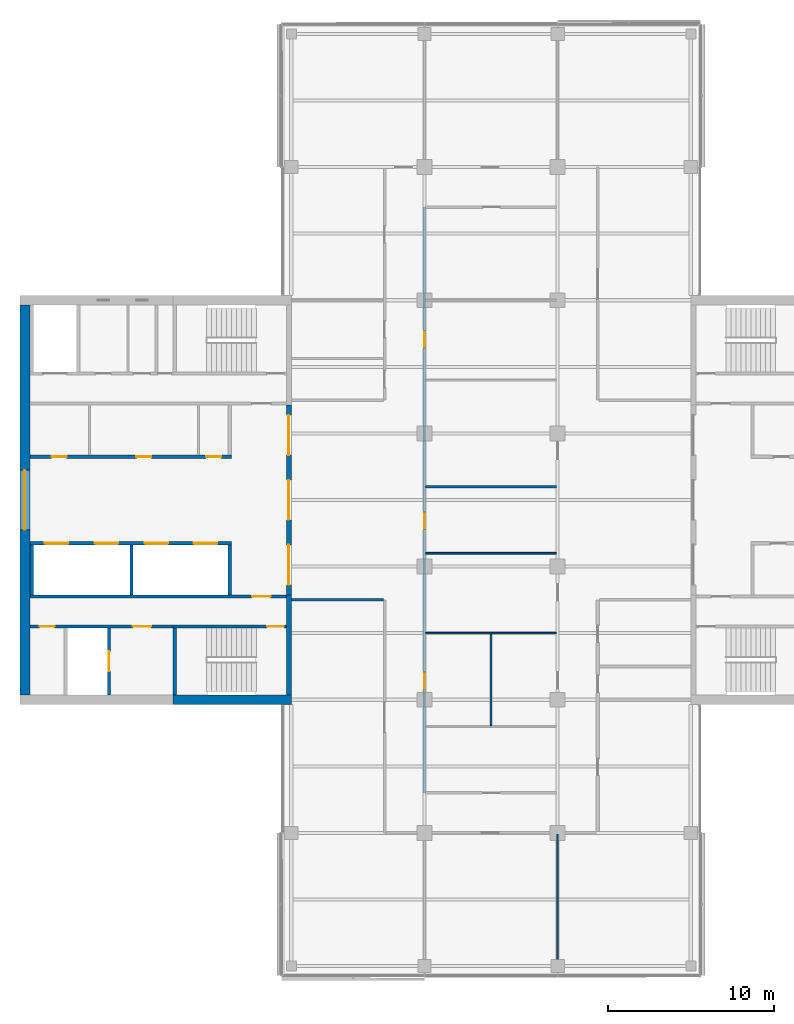
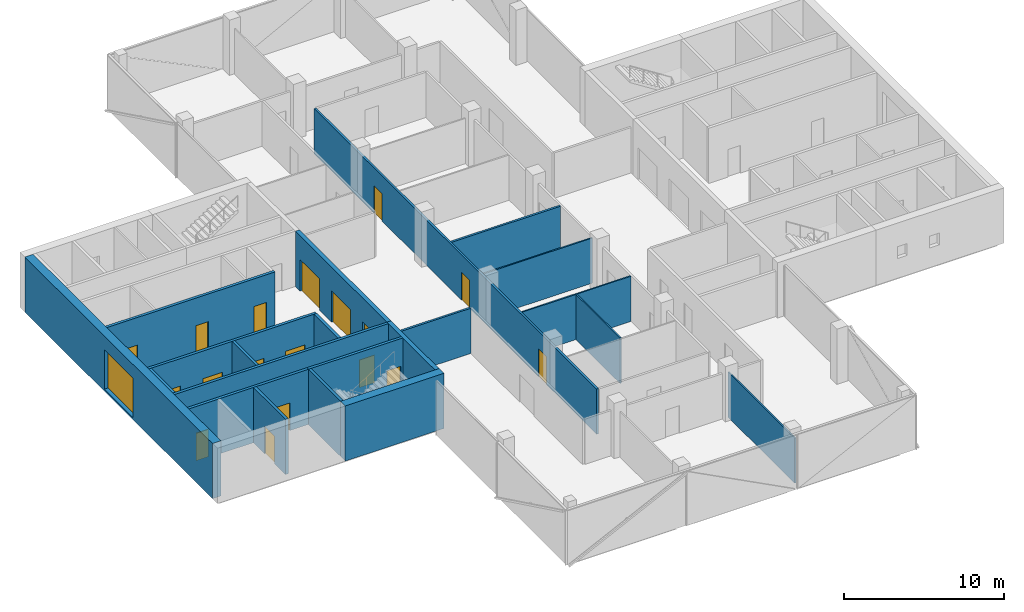
# One storey, part 9 of 15: 21 walls, 18 doors, 1 window, 19 openings.
"""IFC4 building model written with IfcOpenShell, lengths in metres."""

from ifc_helpers import new_model, si_unit, direction, frame, frame_2d, origin, place, context, subcontext, project, spatial, rectangle, extrude, material, layer, layer_set, constituent, constituent_set, type_object, element, fill, save


model = new_model("IFC4")

# Units and contexts
model_context = context("Model", 3, precision=1e-05, world=origin(), true_north=direction((0.0, 1.0)))
body_context = subcontext(model_context, "Body", "Model", "MODEL_VIEW")
ifc_project = project(units=[si_unit("LENGTHUNIT", "METRE"), si_unit("AREAUNIT", "SQUARE_METRE"), si_unit("VOLUMEUNIT", "CUBIC_METRE"), si_unit("PLANEANGLEUNIT", "RADIAN"), si_unit("MASSUNIT", "GRAM", prefix="KILO")], contexts=[model_context])

# Site, building, storey
site_placement = place(None, origin())
site = spatial("IfcSite", under=ifc_project, at=site_placement, CompositionType="ELEMENT")
building_placement = place(site_placement, origin())
building = spatial("IfcBuilding", under=site, at=building_placement, Name="Crosswind Convention Tower", CompositionType="ELEMENT")
storey_placement = place(building_placement, frame((0.0, 0.0, 187.300048828125)))
storey = spatial("IfcBuildingStorey", under=building, at=storey_placement, Name="L39", CompositionType="ELEMENT", Elevation=187.300048828125)

# Wall, openings, doors
ifc_material_1 = material(Name="Concrete C50/60", Category="concrete")
ifc_layer_1 = layer(ifc_material_1, 0.300048828125)
ifc_layer_set_1 = layer_set([ifc_layer_1], Name="Concrete C50/60")
wall_type_1 = type_object("IfcWallType", Name="Concrete inner core wall 300", PredefinedType="SHEAR", material=ifc_layer_set_1)
wall_1_placement = place(storey_placement, frame((112.85009765625, 105.699951171875, 0.0), z_axis=(0.0, 0.0, 1.0), x_axis=(0.0, -1.0, 0.0)))
wall_1 = element("IfcWall", 1, at=wall_1_placement, inside=storey, type_object=wall_type_1, Name="Wall SCR W L39", PredefinedType="SHEAR", context=body_context, shape_type="SweptSolid", body=[
    extrude(rectangle(XDim=11.39990234375, YDim=0.300048828125, at=frame_2d((5.699951171875, 0.0))), origin(), (0.0, 0.0, 1.0), 4.199951171875),
])
opening_1_placement = place(wall_1_placement, frame((0.60009765625, 0.0, 0.0)))
opening_1 = element("IfcOpeningElement", 2, at=opening_1_placement, cuts=wall_1, Name="Opening D100", PredefinedType="OPENING", context=body_context, shape_type="SweptSolid", body=[
    extrude(rectangle(XDim=2.39990234375, YDim=2.39990234375, at=frame_2d((1.199951171875, 1.199951171875))), frame((0.0, 0.159912109375, 0.0), z_axis=(0.0, -1.0, 0.0), x_axis=(1.0, 0.0, 0.0)), (0.0, 0.0, 1.0), 0.320068359375),
])
opening_2_placement = place(wall_1_placement, frame((4.5, 0.0, 0.0)))
opening_2 = element("IfcOpeningElement", 3, at=opening_2_placement, cuts=wall_1, Name="Opening D100", PredefinedType="OPENING", context=body_context, shape_type="SweptSolid", body=[
    extrude(rectangle(XDim=2.39990234375, YDim=2.39990234375, at=frame_2d((1.199951171875, 1.199951171875))), frame((0.0, 0.159912109375, 0.0), z_axis=(0.0, -1.0, 0.0), x_axis=(1.0, 0.0, 0.0)), (0.0, 0.0, 1.0), 0.320068359375),
])
opening_3_placement = place(wall_1_placement, frame((8.39990234375, 0.0, 0.0)))
opening_3 = element("IfcOpeningElement", 4, at=opening_3_placement, cuts=wall_1, Name="Opening D100", PredefinedType="OPENING", context=body_context, shape_type="SweptSolid", body=[
    extrude(rectangle(XDim=2.39990234375, YDim=2.39990234375, at=frame_2d((1.199951171875, 1.199951171875))), frame((0.0, 0.159912109375, 0.0), z_axis=(0.0, -1.0, 0.0), x_axis=(1.0, 0.0, 0.0)), (0.0, 0.0, 1.0), 0.320068359375),
])
ifc_material_2 = material(Name="Steel fire door with glazed vision panels", Category="steel")
door_type_1 = type_object("IfcDoorType", Name="Fire-rated double door 2400x2400", OperationType="DOUBLE_DOOR_SINGLE_SWING", PredefinedType="DOOR", material=ifc_material_2)
door_1_placement = place(opening_1_placement, origin())
door_1 = element("IfcDoor", 5, at=door_1_placement, inside=storey, type_object=door_type_1, Name="Lobby door 1 L39", ObjectType="D100", OperationType="DOUBLE_DOOR_SINGLE_SWING", OverallHeight=2.39990234375, OverallWidth=2.39990234375, PredefinedType="DOOR", context=body_context, shape_type="SweptSolid", body=[
    extrude(rectangle(XDim=2.39990234375, YDim=2.39990234375, at=frame_2d((1.199951171875, 1.199951171875))), frame((0.0, 0.02490234375, 0.0), z_axis=(0.0, -1.0, 0.0), x_axis=(1.0, 0.0, 0.0)), (0.0, 0.0, 1.0), 0.050048828125),
])
fill(opening_1, door_1)
door_2_placement = place(opening_2_placement, origin())
door_2 = element("IfcDoor", 6, at=door_2_placement, inside=storey, type_object=door_type_1, Name="Lobby door 2 L39", ObjectType="D100", OperationType="DOUBLE_DOOR_SINGLE_SWING", OverallHeight=2.39990234375, OverallWidth=2.39990234375, PredefinedType="DOOR", context=body_context, shape_type="SweptSolid", body=[
    extrude(rectangle(XDim=2.39990234375, YDim=2.39990234375, at=frame_2d((1.199951171875, 1.199951171875))), frame((0.0, 0.02490234375, 0.0), z_axis=(0.0, -1.0, 0.0), x_axis=(1.0, 0.0, 0.0)), (0.0, 0.0, 1.0), 0.050048828125),
])
fill(opening_2, door_2)
door_3_placement = place(opening_3_placement, origin())
door_3 = element("IfcDoor", 7, at=door_3_placement, inside=storey, type_object=door_type_1, Name="Lobby door 3 L39", ObjectType="D100", OperationType="DOUBLE_DOOR_SINGLE_SWING", OverallHeight=2.39990234375, OverallWidth=2.39990234375, PredefinedType="DOOR", context=body_context, shape_type="SweptSolid", body=[
    extrude(rectangle(XDim=2.39990234375, YDim=2.39990234375, at=frame_2d((1.199951171875, 1.199951171875))), frame((0.0, 0.02490234375, 0.0), z_axis=(0.0, -1.0, 0.0), x_axis=(1.0, 0.0, 0.0)), (0.0, 0.0, 1.0), 0.050048828125),
])
fill(opening_3, door_3)

# Walls
wall_2_placement = place(storey_placement, frame((112.85009765625, 94.300048828125, 0.0), z_axis=(0.0, 0.0, 1.0), x_axis=(0.0, -1.0, 0.0)))
element("IfcWall", 8, at=wall_2_placement, inside=storey, type_object=wall_type_1, Name="Wall EP W L39", PredefinedType="SHEAR", context=body_context, shape_type="SweptSolid", body=[
    extrude(rectangle(XDim=6.0, YDim=0.300048828125, at=frame_2d((3.0, 0.0))), origin(), (0.0, 0.0, 1.0), 4.199951171875),
])
ifc_layer_2 = layer(ifc_material_1, 0.199951171875)
ifc_layer_set_2 = layer_set([ifc_layer_2], Name="Concrete C50/60")
wall_type_2 = type_object("IfcWallType", Name="Concrete shaft and stair wall 200", PredefinedType="SHEAR", material=ifc_layer_set_2)
for number, where, z_axis, x_axis, name in (
    (9, (109.300048828125, 97.300048828125, 0.0), (0.0, 0.0, 1.0), (0.0, -1.0, 0.0), "Wall RPEND W L39"),
    (10, (103.39990234375, 97.300048828125, 0.0), (0.0, 0.0, 1.0), (0.0, -1.0, 0.0), "Wall RPSEP W L39"),
    (11, (97.39990234375, 97.300048828125, 0.0), (0.0, 0.0, 1.0), (0.0, -1.0, 0.0), "Wall RPEAST W L39"),
):
    element("IfcWall", number, at=place(storey_placement, frame(where, z_axis=z_axis, x_axis=x_axis)), inside=storey, type_object=wall_type_2, Name=name, PredefinedType="SHEAR", context=body_context, shape_type="SweptSolid", body=[
        extrude(rectangle(XDim=3.0, YDim=0.199951171875, at=frame_2d((1.5, 0.0))), origin(), (0.0, 0.0, 1.0), 4.199951171875),
    ])

# Wall, openings, doors
wall_3_placement = place(storey_placement, frame((109.39990234375, 97.39990234375, 0.0), z_axis=(0.0, 0.0, 1.0), x_axis=(-1.0, 0.0, 0.0)))
wall_3 = element("IfcWall", 12, at=wall_3_placement, inside=storey, type_object=wall_type_2, Name="Wall RPFRONT W L39", PredefinedType="SHEAR", context=body_context, shape_type="SweptSolid", body=[
    extrude(rectangle(XDim=12.099853515625, YDim=0.199951171875, at=frame_2d((6.0498046875, 0.0))), origin(), (0.0, 0.0, 1.0), 4.199951171875),
])
opening_4_placement = place(wall_3_placement, frame((0.85009765625, 0.0, 0.0)))
opening_4 = element("IfcOpeningElement", 13, at=opening_4_placement, cuts=wall_3, Name="Opening LD2", PredefinedType="OPENING", context=body_context, shape_type="SweptSolid", body=[
    extrude(rectangle(XDim=1.39990234375, YDim=2.10009765625, at=frame_2d((0.699951171875, 1.050048828125))), frame((0.0, 0.10986328125, 0.0), z_axis=(0.0, -1.0, 0.0), x_axis=(1.0, 0.0, 0.0)), (0.0, 0.0, 1.0), 0.219970703125),
])
opening_5_placement = place(wall_3_placement, frame((3.800048828125, 0.0, 0.0)))
opening_5 = element("IfcOpeningElement", 14, at=opening_5_placement, cuts=wall_3, Name="Opening LD2", PredefinedType="OPENING", context=body_context, shape_type="SweptSolid", body=[
    extrude(rectangle(XDim=1.39990234375, YDim=2.10009765625, at=frame_2d((0.699951171875, 1.050048828125))), frame((0.0, 0.10986328125, 0.0), z_axis=(0.0, -1.0, 0.0), x_axis=(1.0, 0.0, 0.0)), (0.0, 0.0, 1.0), 0.219970703125),
])
opening_6_placement = place(wall_3_placement, frame((6.800048828125, 0.0, 0.0)))
opening_6 = element("IfcOpeningElement", 15, at=opening_6_placement, cuts=wall_3, Name="Opening LD2", PredefinedType="OPENING", context=body_context, shape_type="SweptSolid", body=[
    extrude(rectangle(XDim=1.39990234375, YDim=2.10009765625, at=frame_2d((0.699951171875, 1.050048828125))), frame((0.0, 0.10986328125, 0.0), z_axis=(0.0, -1.0, 0.0), x_axis=(1.0, 0.0, 0.0)), (0.0, 0.0, 1.0), 0.219970703125),
])
opening_7_placement = place(wall_3_placement, frame((9.800048828125, 0.0, 0.0)))
opening_7 = element("IfcOpeningElement", 16, at=opening_7_placement, cuts=wall_3, Name="Opening LD2", PredefinedType="OPENING", context=body_context, shape_type="SweptSolid", body=[
    extrude(rectangle(XDim=1.39990234375, YDim=2.10009765625, at=frame_2d((0.699951171875, 1.050048828125))), frame((0.0, 0.10986328125, 0.0), z_axis=(0.0, -1.0, 0.0), x_axis=(1.0, 0.0, 0.0)), (0.0, 0.0, 1.0), 0.219970703125),
])
ifc_material_3 = material(Name="Stainless steel", Category="steel")
door_type_2 = type_object("IfcDoorType", Name="Lift landing door 1400x2100", OperationType="DOUBLE_DOOR_SLIDING", PredefinedType="DOOR", material=ifc_material_3)
door_4_placement = place(opening_4_placement, origin())
door_4 = element("IfcDoor", 17, at=door_4_placement, inside=storey, type_object=door_type_2, Name="Landing door HR1 L39", ObjectType="LD2", OperationType="DOUBLE_DOOR_SLIDING", OverallHeight=2.10009765625, OverallWidth=1.39990234375, PredefinedType="DOOR", context=body_context, shape_type="SweptSolid", body=[
    extrude(rectangle(XDim=1.39990234375, YDim=2.10009765625, at=frame_2d((0.699951171875, 1.050048828125))), frame((0.0, 0.02490234375, 0.0), z_axis=(0.0, -1.0, 0.0), x_axis=(1.0, 0.0, 0.0)), (0.0, 0.0, 1.0), 0.050048828125),
])
fill(opening_4, door_4)
door_5_placement = place(opening_5_placement, origin())
door_5 = element("IfcDoor", 18, at=door_5_placement, inside=storey, type_object=door_type_2, Name="Landing door HR2 L39", ObjectType="LD2", OperationType="DOUBLE_DOOR_SLIDING", OverallHeight=2.10009765625, OverallWidth=1.39990234375, PredefinedType="DOOR", context=body_context, shape_type="SweptSolid", body=[
    extrude(rectangle(XDim=1.39990234375, YDim=2.10009765625, at=frame_2d((0.699951171875, 1.050048828125))), frame((0.0, 0.02490234375, 0.0), z_axis=(0.0, -1.0, 0.0), x_axis=(1.0, 0.0, 0.0)), (0.0, 0.0, 1.0), 0.050048828125),
])
fill(opening_5, door_5)
door_6_placement = place(opening_6_placement, origin())
door_6 = element("IfcDoor", 19, at=door_6_placement, inside=storey, type_object=door_type_2, Name="Landing door HR3 L39", ObjectType="LD2", OperationType="DOUBLE_DOOR_SLIDING", OverallHeight=2.10009765625, OverallWidth=1.39990234375, PredefinedType="DOOR", context=body_context, shape_type="SweptSolid", body=[
    extrude(rectangle(XDim=1.39990234375, YDim=2.10009765625, at=frame_2d((0.699951171875, 1.050048828125))), frame((0.0, 0.02490234375, 0.0), z_axis=(0.0, -1.0, 0.0), x_axis=(1.0, 0.0, 0.0)), (0.0, 0.0, 1.0), 0.050048828125),
])
fill(opening_6, door_6)
door_7_placement = place(opening_7_placement, origin())
door_7 = element("IfcDoor", 20, at=door_7_placement, inside=storey, type_object=door_type_2, Name="Landing door HR4 L39", ObjectType="LD2", OperationType="DOUBLE_DOOR_SLIDING", OverallHeight=2.10009765625, OverallWidth=1.39990234375, PredefinedType="DOOR", context=body_context, shape_type="SweptSolid", body=[
    extrude(rectangle(XDim=1.39990234375, YDim=2.10009765625, at=frame_2d((0.699951171875, 1.050048828125))), frame((0.0, 0.02490234375, 0.0), z_axis=(0.0, -1.0, 0.0), x_axis=(1.0, 0.0, 0.0)), (0.0, 0.0, 1.0), 0.050048828125),
])
fill(opening_7, door_7)

wall_4_placement = place(storey_placement, frame((109.39990234375, 102.60009765625, 0.0), z_axis=(0.0, 0.0, 1.0), x_axis=(-1.0, 0.0, 0.0)))
wall_4 = element("IfcWall", 21, at=wall_4_placement, inside=storey, type_object=wall_type_2, Name="Wall RMFRONT W L39", PredefinedType="SHEAR", context=body_context, shape_type="SweptSolid", body=[
    extrude(rectangle(XDim=12.099853515625, YDim=0.199951171875, at=frame_2d((6.0498046875, 0.0))), origin(), (0.0, 0.0, 1.0), 4.199951171875),
])
opening_8_placement = place(wall_4_placement, frame((0.611328125, 0.0, 0.0)))
opening_8 = element("IfcOpeningElement", 22, at=opening_8_placement, cuts=wall_4, Name="Opening D106", PredefinedType="OPENING", context=body_context, shape_type="SweptSolid", body=[
    extrude(rectangle(XDim=0.89990234375, YDim=2.10009765625, at=frame_2d((0.449951171875, 1.050048828125))), frame((0.0, 0.10986328125, 0.0), z_axis=(0.0, -1.0, 0.0), x_axis=(1.0, 0.0, 0.0)), (0.0, 0.0, 1.0), 0.219970703125),
])
opening_9_placement = place(wall_4_placement, frame((4.8076171875, 0.0, 0.0)))
opening_9 = element("IfcOpeningElement", 23, at=opening_9_placement, cuts=wall_4, Name="Opening D106", PredefinedType="OPENING", context=body_context, shape_type="SweptSolid", body=[
    extrude(rectangle(XDim=0.89990234375, YDim=2.10009765625, at=frame_2d((0.449951171875, 1.050048828125))), frame((0.0, 0.10986328125, 0.0), z_axis=(0.0, -1.0, 0.0), x_axis=(1.0, 0.0, 0.0)), (0.0, 0.0, 1.0), 0.219970703125),
])
opening_10_placement = place(wall_4_placement, frame((9.896240234375, 0.0, 0.0)))
opening_10 = element("IfcOpeningElement", 24, at=opening_10_placement, cuts=wall_4, Name="Opening D106", PredefinedType="OPENING", context=body_context, shape_type="SweptSolid", body=[
    extrude(rectangle(XDim=0.89990234375, YDim=2.10009765625, at=frame_2d((0.449951171875, 1.050048828125))), frame((0.0, 0.10986328125, 0.0), z_axis=(0.0, -1.0, 0.0), x_axis=(1.0, 0.0, 0.0)), (0.0, 0.0, 1.0), 0.219970703125),
])
ifc_material_4 = material(Name="Timber door", Category="wood")
door_type_3 = type_object("IfcDoorType", Name="Single leaf door 900x2100", OperationType="NOTDEFINED", PredefinedType="DOOR", material=ifc_material_4)
door_8_placement = place(opening_8_placement, frame((0.89990234375, 0.0, 0.0), z_axis=(0.0, 0.0, 1.0), x_axis=(-1.0, 0.0, 0.0)))
door_8 = element("IfcDoor", 25, at=door_8_placement, inside=storey, type_object=door_type_3, Name="Door to pantry L39", ObjectType="D106", OperationType="SINGLE_SWING_LEFT", OverallHeight=2.10009765625, OverallWidth=0.89990234375, PredefinedType="DOOR", context=body_context, shape_type="SweptSolid", body=[
    extrude(rectangle(XDim=0.89990234375, YDim=2.10009765625, at=frame_2d((0.449951171875, 1.050048828125))), frame((0.0, 0.02490234375, 0.0), z_axis=(0.0, -1.0, 0.0), x_axis=(1.0, 0.0, 0.0)), (0.0, 0.0, 1.0), 0.050048828125),
])
fill(opening_8, door_8)
door_9_placement = place(opening_9_placement, frame((0.89990234375, 0.0, 0.0), z_axis=(0.0, 0.0, 1.0), x_axis=(-1.0, 0.0, 0.0)))
door_9 = element("IfcDoor", 26, at=door_9_placement, inside=storey, type_object=door_type_3, Name="Door to telecoms room L39", ObjectType="D106", OperationType="SINGLE_SWING_LEFT", OverallHeight=2.10009765625, OverallWidth=0.89990234375, PredefinedType="DOOR", context=body_context, shape_type="SweptSolid", body=[
    extrude(rectangle(XDim=0.89990234375, YDim=2.10009765625, at=frame_2d((0.449951171875, 1.050048828125))), frame((0.0, 0.02490234375, 0.0), z_axis=(0.0, -1.0, 0.0), x_axis=(1.0, 0.0, 0.0)), (0.0, 0.0, 1.0), 0.050048828125),
])
fill(opening_9, door_9)
door_10_placement = place(opening_10_placement, frame((0.89990234375, 0.0, 0.0), z_axis=(0.0, 0.0, 1.0), x_axis=(-1.0, 0.0, 0.0)))
door_10 = element("IfcDoor", 27, at=door_10_placement, inside=storey, type_object=door_type_3, Name="Door to storeroom L39", ObjectType="D106", OperationType="SINGLE_SWING_LEFT", OverallHeight=2.10009765625, OverallWidth=0.89990234375, PredefinedType="DOOR", context=body_context, shape_type="SweptSolid", body=[
    extrude(rectangle(XDim=0.89990234375, YDim=2.10009765625, at=frame_2d((0.449951171875, 1.050048828125))), frame((0.0, 0.02490234375, 0.0), z_axis=(0.0, -1.0, 0.0), x_axis=(1.0, 0.0, 0.0)), (0.0, 0.0, 1.0), 0.050048828125),
])
fill(opening_10, door_10)

# Wall, opening, door
wall_5_placement = place(storey_placement, frame((112.699951171875, 94.199951171875, 0.0), z_axis=(0.0, 0.0, 1.0), x_axis=(-1.0, 0.0, 0.0)))
wall_5 = element("IfcWall", 28, at=wall_5_placement, inside=storey, type_object=wall_type_2, Name="Wall HP W L39", PredefinedType="SHEAR", context=body_context, shape_type="SweptSolid", body=[
    extrude(rectangle(XDim=15.39990234375, YDim=0.199951171875, at=frame_2d((7.699951171875, 0.0))), origin(), (0.0, 0.0, 1.0), 4.199951171875),
])
opening_11_placement = place(wall_5_placement, frame((0.949951171875, 0.0, 0.0)))
opening_11 = element("IfcOpeningElement", 29, at=opening_11_placement, cuts=wall_5, Name="Opening D104", PredefinedType="OPENING", context=body_context, shape_type="SweptSolid", body=[
    extrude(rectangle(XDim=1.10009765625, YDim=2.10009765625, at=frame_2d((0.550048828125, 1.050048828125))), frame((0.0, 0.10986328125, 0.0), z_axis=(0.0, -1.0, 0.0), x_axis=(1.0, 0.0, 0.0)), (0.0, 0.0, 1.0), 0.219970703125),
])
ifc_material_5 = material(Name="Steel fire door", Category="steel")
door_type_4 = type_object("IfcDoorType", Name="Fire-rated single door 1100x2100", OperationType="NOTDEFINED", PredefinedType="DOOR", material=ifc_material_5)
door_11_placement = place(opening_11_placement, origin())
door_11 = element("IfcDoor", 30, at=door_11_placement, inside=storey, type_object=door_type_4, Name="Corridor door L39", ObjectType="D104", OperationType="SINGLE_SWING_LEFT", OverallHeight=2.10009765625, OverallWidth=1.10009765625, PredefinedType="DOOR", context=body_context, shape_type="SweptSolid", body=[
    extrude(rectangle(XDim=1.10009765625, YDim=2.10009765625, at=frame_2d((0.550048828125, 1.050048828125))), frame((0.0, 0.02490234375, 0.0), z_axis=(0.0, -1.0, 0.0), x_axis=(1.0, 0.0, 0.0)), (0.0, 0.0, 1.0), 0.050048828125),
])
fill(opening_11, door_11)

# Wall
wall_6_placement = place(storey_placement, frame((106.0, 92.300048828125, 0.0), z_axis=(0.0, 0.0, 1.0), x_axis=(0.0, -1.0, 0.0)))
element("IfcWall", 31, at=wall_6_placement, inside=storey, type_object=wall_type_2, Name="Wall PSE W L39", PredefinedType="SHEAR", context=body_context, shape_type="SweptSolid", body=[
    extrude(rectangle(XDim=4.0, YDim=0.199951171875, at=frame_2d((2.0, 0.0))), origin(), (0.0, 0.0, 1.0), 4.199951171875),
])

# Wall, opening, door
wall_7_placement = place(storey_placement, frame((102.050048828125, 92.300048828125, 0.0), z_axis=(0.0, 0.0, 1.0), x_axis=(0.0, -1.0, 0.0)))
wall_7 = element("IfcWall", 32, at=wall_7_placement, inside=storey, type_object=wall_type_2, Name="Wall PFLW W L39", PredefinedType="SHEAR", context=body_context, shape_type="SweptSolid", body=[
    extrude(rectangle(XDim=4.0, YDim=0.199951171875, at=frame_2d((2.0, 0.0))), origin(), (0.0, 0.0, 1.0), 4.199951171875),
])
opening_12_placement = place(wall_7_placement, frame((1.39990234375, 0.0, 0.0)))
opening_12 = element("IfcOpeningElement", 33, at=opening_12_placement, cuts=wall_7, Name="Opening LD1", PredefinedType="OPENING", context=body_context, shape_type="SweptSolid", body=[
    extrude(rectangle(XDim=1.199951171875, YDim=2.10009765625, at=frame_2d((0.60009765625, 1.050048828125))), frame((0.0, 0.10986328125, 0.0), z_axis=(0.0, -1.0, 0.0), x_axis=(1.0, 0.0, 0.0)), (0.0, 0.0, 1.0), 0.219970703125),
])
door_type_5 = type_object("IfcDoorType", Name="Lift landing door 1200x2100", OperationType="DOUBLE_DOOR_SLIDING", PredefinedType="DOOR", material=ifc_material_3)
door_12_placement = place(opening_12_placement, origin())
door_12 = element("IfcDoor", 34, at=door_12_placement, inside=storey, type_object=door_type_5, Name="Landing door FF2 L39", ObjectType="LD1", OperationType="DOUBLE_DOOR_SLIDING", OverallHeight=2.10009765625, OverallWidth=1.199951171875, PredefinedType="DOOR", context=body_context, shape_type="SweptSolid", body=[
    extrude(rectangle(XDim=1.199951171875, YDim=2.10009765625, at=frame_2d((0.60009765625, 1.050048828125))), frame((0.0, 0.02490234375, 0.0), z_axis=(0.0, -1.0, 0.0), x_axis=(1.0, 0.0, 0.0)), (0.0, 0.0, 1.0), 0.050048828125),
])
fill(opening_12, door_12)

wall_8_placement = place(storey_placement, frame((112.699951171875, 92.39990234375, 0.0), z_axis=(0.0, 0.0, 1.0), x_axis=(-1.0, 0.0, 0.0)))
wall_8 = element("IfcWall", 35, at=wall_8_placement, inside=storey, type_object=wall_type_2, Name="Wall PCW W L39", PredefinedType="SHEAR", context=body_context, shape_type="SweptSolid", body=[
    extrude(rectangle(XDim=6.800048828125, YDim=0.199951171875, at=frame_2d((3.39990234375, 0.0))), origin(), (0.0, 0.0, 1.0), 4.199951171875),
])
opening_13_placement = place(wall_8_placement, frame((0.14990234375, 0.0, 0.0)))
opening_13 = element("IfcOpeningElement", 36, at=opening_13_placement, cuts=wall_8, Name="Opening D103", PredefinedType="OPENING", context=body_context, shape_type="SweptSolid", body=[
    extrude(rectangle(XDim=1.0, YDim=2.10009765625, at=frame_2d((0.5, 1.050048828125))), frame((0.0, 0.10986328125, 0.0), z_axis=(0.0, -1.0, 0.0), x_axis=(1.0, 0.0, 0.0)), (0.0, 0.0, 1.0), 0.219970703125),
])
door_type_6 = type_object("IfcDoorType", Name="Fire-rated single door 1000x2100", OperationType="NOTDEFINED", PredefinedType="DOOR", material=ifc_material_5)
door_13_placement = place(opening_13_placement, origin())
door_13 = element("IfcDoor", 37, at=door_13_placement, inside=storey, type_object=door_type_6, Name="Stair ST3 door L39", ObjectType="D103", OperationType="SINGLE_SWING_LEFT", OverallHeight=2.10009765625, OverallWidth=1.0, PredefinedType="DOOR", context=body_context, shape_type="SweptSolid", body=[
    extrude(rectangle(XDim=1.0, YDim=2.10009765625, at=frame_2d((0.5, 1.050048828125))), frame((0.0, 0.02490234375, 0.0), z_axis=(0.0, -1.0, 0.0), x_axis=(1.0, 0.0, 0.0)), (0.0, 0.0, 1.0), 0.050048828125),
])
fill(opening_13, door_13)

# Wall, openings, doors
wall_9_placement = place(storey_placement, frame((105.89990234375, 92.39990234375, 0.0), z_axis=(0.0, 0.0, 1.0), x_axis=(-1.0, 0.0, 0.0)))
wall_9 = element("IfcWall", 38, at=wall_9_placement, inside=storey, type_object=wall_type_2, Name="Wall PCX W L39", PredefinedType="SHEAR", context=body_context, shape_type="SweptSolid", body=[
    extrude(rectangle(XDim=8.599853515625, YDim=0.199951171875, at=frame_2d((4.2998046875, 0.0))), origin(), (0.0, 0.0, 1.0), 4.199951171875),
])
opening_14_placement = place(wall_9_placement, frame((1.324951171875, 0.0, 0.0)))
opening_14 = element("IfcOpeningElement", 39, at=opening_14_placement, cuts=wall_9, Name="Opening D104", PredefinedType="OPENING", context=body_context, shape_type="SweptSolid", body=[
    extrude(rectangle(XDim=1.10009765625, YDim=2.10009765625, at=frame_2d((0.550048828125, 1.050048828125))), frame((0.0, 0.10986328125, 0.0), z_axis=(0.0, -1.0, 0.0), x_axis=(1.0, 0.0, 0.0)), (0.0, 0.0, 1.0), 0.219970703125),
])
opening_15_placement = place(wall_9_placement, frame((7.125, 0.0, 0.0)))
opening_15 = element("IfcOpeningElement", 40, at=opening_15_placement, cuts=wall_9, Name="Opening D106", PredefinedType="OPENING", context=body_context, shape_type="SweptSolid", body=[
    extrude(rectangle(XDim=0.89990234375, YDim=2.10009765625, at=frame_2d((0.449951171875, 1.050048828125))), frame((0.0, 0.10986328125, 0.0), z_axis=(0.0, -1.0, 0.0), x_axis=(1.0, 0.0, 0.0)), (0.0, 0.0, 1.0), 0.219970703125),
])
door_14_placement = place(opening_14_placement, origin())
door_14 = element("IfcDoor", 41, at=door_14_placement, inside=storey, type_object=door_type_4, Name="Fire-fighting lobby FF2 door L39", ObjectType="D104", OperationType="SINGLE_SWING_RIGHT", OverallHeight=2.10009765625, OverallWidth=1.10009765625, PredefinedType="DOOR", context=body_context, shape_type="SweptSolid", body=[
    extrude(rectangle(XDim=1.10009765625, YDim=2.10009765625, at=frame_2d((0.550048828125, 1.050048828125))), frame((0.0, 0.02490234375, 0.0), z_axis=(0.0, -1.0, 0.0), x_axis=(1.0, 0.0, 0.0)), (0.0, 0.0, 1.0), 0.050048828125),
])
fill(opening_14, door_14)
door_15_placement = place(opening_15_placement, origin())
door_15 = element("IfcDoor", 42, at=door_15_placement, inside=storey, type_object=door_type_3, Name="Door to comms room L39", ObjectType="D106", OperationType="SINGLE_SWING_RIGHT", OverallHeight=2.10009765625, OverallWidth=0.89990234375, PredefinedType="DOOR", context=body_context, shape_type="SweptSolid", body=[
    extrude(rectangle(XDim=0.89990234375, YDim=2.10009765625, at=frame_2d((0.449951171875, 1.050048828125))), frame((0.0, 0.02490234375, 0.0), z_axis=(0.0, -1.0, 0.0), x_axis=(1.0, 0.0, 0.0)), (0.0, 0.0, 1.0), 0.050048828125),
])
fill(opening_15, door_15)

# Walls
ifc_material_6 = material(Name="Plasterboard partition", Category="gypsum")
ifc_layer_3 = layer(ifc_material_6, 0.10009765625)
ifc_layer_set_3 = layer_set([ifc_layer_3], Name="PARTITION 100 METAL STUD")
wall_type_3 = type_object("IfcWallType", Name="PARTITION 100 METAL STUD", PredefinedType="PARTITIONING", material=ifc_layer_set_3)
wall_10_placement = place(storey_placement, frame((125.0, 86.449951171875, 0.0), z_axis=(0.0, 0.0, 1.0), x_axis=(0.0, 1.0, 0.0)))
element("IfcWall", 43, at=wall_10_placement, inside=storey, type_object=wall_type_3, Name="Partition wall WT40", PredefinedType="PARTITIONING", context=body_context, shape_type="SweptSolid", body=[
    extrude(rectangle(XDim=5.5, YDim=0.10009765625, at=frame_2d((2.75, 0.0))), origin(), (0.0, 0.0, 1.0), 3.439697265625),
])
wall_11_placement = place(storey_placement, frame((129.0, 71.6298828125, 0.0), z_axis=(0.0, 0.0, 1.0), x_axis=(0.0, 1.0, 0.0)))
element("IfcWall", 44, at=wall_11_placement, inside=storey, type_object=wall_type_3, Name="Partition wall WT40", PredefinedType="PARTITIONING", context=body_context, shape_type="SweptSolid", body=[
    extrude(rectangle(XDim=8.295166015625, YDim=0.10009765625, at=frame_2d((4.1474609375, 0.0))), origin(), (0.0, 0.0, 1.0), 3.439697265625),
])
for number, where, z_axis, x_axis, name in (
    (45, (121.074951171875, 92.0, 0.0), (0.0, 0.0, 1.0), (1.0, 0.0, 0.0), "Partition wall WT40"),
    (46, (121.074951171875, 96.800048828125, 0.0), (0.0, 0.0, 1.0), (1.0, 0.0, 0.0), "Partition wall WT40"),
):
    element("IfcWall", number, at=place(storey_placement, frame(where, z_axis=z_axis, x_axis=x_axis)), inside=storey, type_object=wall_type_3, Name=name, PredefinedType="PARTITIONING", context=body_context, shape_type="SweptSolid", body=[
        extrude(rectangle(XDim=7.85009765625, YDim=0.10009765625, at=frame_2d((3.925048828125, 0.0))), origin(), (0.0, 0.0, 1.0), 3.439697265625),
    ])

# Wall, openings, doors
ifc_material_7 = material(Name="Fire-board partition with mineral wool", Category="gypsum")
ifc_layer_4 = layer(ifc_material_7, 0.14990234375)
ifc_layer_set_4 = layer_set([ifc_layer_4], Name="TENANCY WALL 150 TWO-HOUR BOARD")
wall_type_4 = type_object("IfcWallType", Name="TENANCY WALL 150 TWO-HOUR BOARD", PredefinedType="PARTITIONING", material=ifc_layer_set_4)
wall_12_placement = place(storey_placement, frame((121.0, 82.39990234375, 0.0), z_axis=(0.0, 0.0, 1.0), x_axis=(0.0, 1.0, 0.0)))
wall_12 = element("IfcWall", 47, at=wall_12_placement, inside=storey, type_object=wall_type_4, Name="Tenancy wall WT41", PredefinedType="PARTITIONING", context=body_context, shape_type="SweptSolid", body=[
    extrude(rectangle(XDim=35.2001953125, YDim=0.14990234375, at=frame_2d((17.60009765625, 0.0))), origin(), (0.0, 0.0, 1.0), 3.439697265625),
])
opening_16_placement = place(wall_12_placement, frame((6.25, 0.0, 0.0)))
opening_16 = element("IfcOpeningElement", 48, at=opening_16_placement, cuts=wall_12, Name="Opening L39-62", PredefinedType="OPENING", context=body_context, shape_type="SweptSolid", body=[
    extrude(rectangle(XDim=1.0, YDim=2.10009765625, at=frame_2d((0.5, 1.050048828125))), frame((0.0, 0.0849609375, 0.0), z_axis=(0.0, -1.0, 0.0), x_axis=(1.0, 0.0, 0.0)), (0.0, 0.0, 1.0), 0.169921875),
])
opening_17_placement = place(wall_12_placement, frame((15.85009765625, 0.0, 0.0)))
opening_17 = element("IfcOpeningElement", 49, at=opening_17_placement, cuts=wall_12, Name="Opening L39-65", PredefinedType="OPENING", context=body_context, shape_type="SweptSolid", body=[
    extrude(rectangle(XDim=1.0, YDim=2.10009765625, at=frame_2d((0.5, 1.050048828125))), frame((0.0, 0.0849609375, 0.0), z_axis=(0.0, -1.0, 0.0), x_axis=(1.0, 0.0, 0.0)), (0.0, 0.0, 1.0), 0.169921875),
])
opening_18_placement = place(wall_12_placement, frame((26.75, 0.0, 0.0)))
opening_18 = element("IfcOpeningElement", 50, at=opening_18_placement, cuts=wall_12, Name="Opening L39-67", PredefinedType="OPENING", context=body_context, shape_type="SweptSolid", body=[
    extrude(rectangle(XDim=1.0, YDim=2.10009765625, at=frame_2d((0.5, 1.050048828125))), frame((0.0, 0.0849609375, 0.0), z_axis=(0.0, -1.0, 0.0), x_axis=(1.0, 0.0, 0.0)), (0.0, 0.0, 1.0), 0.169921875),
])
ifc_material_8 = material(Name="Timber fire door", Category="wood")
door_type_7 = type_object("IfcDoorType", Name="TENANCY ENTRANCE DOOR 1000X2100 FD30S", OperationType="NOTDEFINED", PredefinedType="DOOR", material=ifc_material_8)
door_16_placement = place(opening_16_placement, frame((1.0, 0.0, 0.0), z_axis=(0.0, 0.0, 1.0), x_axis=(-1.0, 0.0, 0.0)))
door_16 = element("IfcDoor", 51, at=door_16_placement, inside=storey, type_object=door_type_7, Name="Door L39-62", ObjectType="D41", OperationType="SINGLE_SWING_RIGHT", OverallHeight=2.10009765625, OverallWidth=1.0, PredefinedType="DOOR", context=body_context, shape_type="SweptSolid", body=[
    extrude(rectangle(XDim=1.0, YDim=2.10009765625, at=frame_2d((0.5, 1.050048828125))), frame((0.0, 0.02490234375, 0.0), z_axis=(0.0, -1.0, 0.0), x_axis=(1.0, 0.0, 0.0)), (0.0, 0.0, 1.0), 0.050048828125),
])
fill(opening_16, door_16)
door_17_placement = place(opening_17_placement, frame((1.0, 0.0, 0.0), z_axis=(0.0, 0.0, 1.0), x_axis=(-1.0, 0.0, 0.0)))
door_17 = element("IfcDoor", 52, at=door_17_placement, inside=storey, type_object=door_type_7, Name="Door L39-65", ObjectType="D41", OperationType="SINGLE_SWING_RIGHT", OverallHeight=2.10009765625, OverallWidth=1.0, PredefinedType="DOOR", context=body_context, shape_type="SweptSolid", body=[
    extrude(rectangle(XDim=1.0, YDim=2.10009765625, at=frame_2d((0.5, 1.050048828125))), frame((0.0, 0.02490234375, 0.0), z_axis=(0.0, -1.0, 0.0), x_axis=(1.0, 0.0, 0.0)), (0.0, 0.0, 1.0), 0.050048828125),
])
fill(opening_17, door_17)
door_18_placement = place(opening_18_placement, frame((1.0, 0.0, 0.0), z_axis=(0.0, 0.0, 1.0), x_axis=(-1.0, 0.0, 0.0)))
door_18 = element("IfcDoor", 53, at=door_18_placement, inside=storey, type_object=door_type_7, Name="Door L39-67", ObjectType="D41", OperationType="SINGLE_SWING_LEFT", OverallHeight=2.10009765625, OverallWidth=1.0, PredefinedType="DOOR", context=body_context, shape_type="SweptSolid", body=[
    extrude(rectangle(XDim=1.0, YDim=2.10009765625, at=frame_2d((0.5, 1.050048828125))), frame((0.0, 0.02490234375, 0.0), z_axis=(0.0, -1.0, 0.0), x_axis=(1.0, 0.0, 0.0)), (0.0, 0.0, 1.0), 0.050048828125),
])
fill(opening_18, door_18)

# Walls
wall_13_placement = place(storey_placement, frame((113.0, 94.0, 0.0), z_axis=(0.0, 0.0, 1.0), x_axis=(1.0, 0.0, 0.0)))
element("IfcWall", 54, at=wall_13_placement, inside=storey, type_object=wall_type_4, Name="Tenancy wall WT41", PredefinedType="PARTITIONING", context=body_context, shape_type="SweptSolid", body=[
    extrude(rectangle(XDim=5.52490234375, YDim=0.14990234375, at=frame_2d((2.762451171875, 0.0))), origin(), (0.0, 0.0, 1.0), 3.439697265625),
])
wall_14_placement = place(storey_placement, frame((121.074951171875, 100.800048828125, 0.0), z_axis=(0.0, 0.0, 1.0), x_axis=(1.0, 0.0, 0.0)))
element("IfcWall", 55, at=wall_14_placement, inside=storey, type_object=wall_type_4, Name="Tenancy wall WT41", PredefinedType="PARTITIONING", context=body_context, shape_type="SweptSolid", body=[
    extrude(rectangle(XDim=7.85009765625, YDim=0.14990234375, at=frame_2d((3.925048828125, 0.0))), origin(), (0.0, 0.0, 1.0), 3.439697265625),
])
ifc_material_9 = material(Name="Concrete C60/75", Category="concrete")
ifc_constituent_1 = constituent(ifc_material_9, Name="Structure")
ifc_material_10 = material(Name="Terracotta rainscreen", Category="ceramic")
ifc_constituent_2 = constituent(ifc_material_10, Name="Facing")
ifc_constituent_set = constituent_set(constituents=[ifc_constituent_1, ifc_constituent_2], Name="Concrete C60/75, Terracotta rainscreen")
wall_type_5 = type_object("IfcWallType", Name="Terracotta rainscreen on concrete core wall 600", PredefinedType="SHEAR", material=ifc_constituent_set)
wall_15_placement = place(storey_placement, frame((113.0, 88.0, 0.0), z_axis=(0.0, 0.0, 1.0), x_axis=(-1.0, 0.0, 0.0)))
element("IfcWall", 56, at=wall_15_placement, inside=storey, type_object=wall_type_5, Name="Wall N1 W L39", PredefinedType="SHEAR", context=body_context, shape_type="SweptSolid", body=[
    extrude(rectangle(XDim=7.10009765625, YDim=0.60009765625, at=frame_2d((3.550048828125, 0.0))), origin(), (0.0, 0.0, 1.0), 4.199951171875),
])

# Wall, opening, window
wall_16_placement = place(storey_placement, frame((97.0, 111.699951171875, 0.0), z_axis=(0.0, 0.0, 1.0), x_axis=(0.0, -1.0, 0.0)))
wall_16 = element("IfcWall", 57, at=wall_16_placement, inside=storey, type_object=wall_type_5, Name="Wall O W L39", PredefinedType="SHEAR", context=body_context, shape_type="SweptSolid", body=[
    extrude(rectangle(XDim=23.39990234375, YDim=0.60009765625, at=frame_2d((11.699951171875, 0.0))), origin(), (0.0, 0.0, 1.0), 4.199951171875),
])
opening_19_placement = place(wall_16_placement, frame((9.89990234375, 0.0, 0.14990234375)))
opening_19 = element("IfcOpeningElement", 58, at=opening_19_placement, cuts=wall_16, Name="Opening W1", PredefinedType="OPENING", context=body_context, shape_type="SweptSolid", body=[
    extrude(rectangle(XDim=3.60009765625, YDim=3.0, at=frame_2d((1.800048828125, 1.5))), frame((0.0, 0.31005859375, 0.0), z_axis=(0.0, -1.0, 0.0), x_axis=(1.0, 0.0, 0.0)), (0.0, 0.0, 1.0), 0.6201171875),
])
ifc_material_11 = material(Name="Clear laminated glass in aluminium frame", Category="aluminium")
window_type = type_object("IfcWindowType", Name="Lobby end window 3600x3000", PartitioningType="SINGLE_PANEL", PredefinedType="WINDOW", material=ifc_material_11)
window_placement = place(opening_19_placement, origin())
window = element("IfcWindow", 59, at=window_placement, inside=storey, type_object=window_type, Name="Lobby end window L39", ObjectType="W1", OverallHeight=3.0, OverallWidth=3.60009765625, PartitioningType="SINGLE_PANEL", PredefinedType="WINDOW", context=body_context, shape_type="SweptSolid", body=[
    extrude(rectangle(XDim=3.60009765625, YDim=3.0, at=frame_2d((1.800048828125, 1.5))), frame((0.0, 0.030029296875, 0.0), z_axis=(0.0, -1.0, 0.0), x_axis=(1.0, 0.0, 0.0)), (0.0, 0.0, 1.0), 0.06005859375),
])
fill(opening_19, window)

save(model, "model.ifc")
